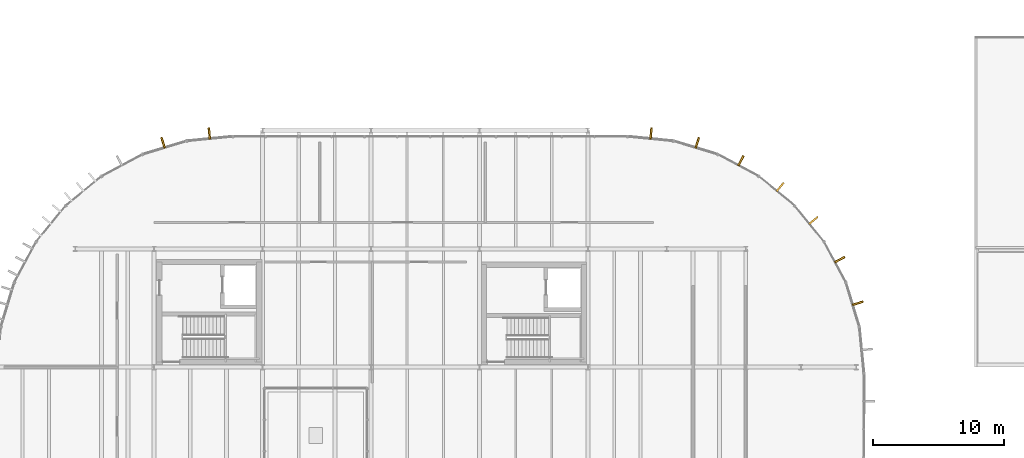
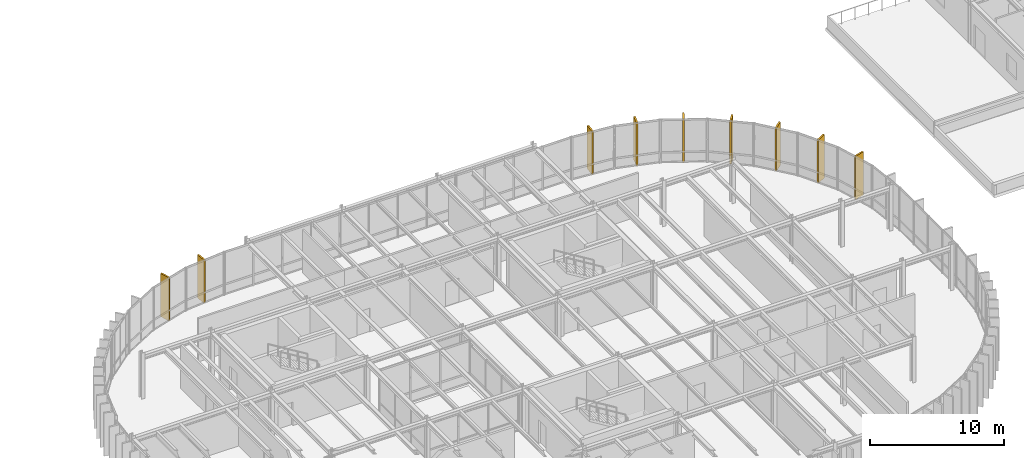
# One storey, part 29 of 31: 9 coverings.
"""IFC4 building model written with IfcOpenShell, lengths in metres."""

from ifc_helpers import new_model, si_unit, direction, frame, origin, origin_2d, place, context, subcontext, project, spatial, rectangle, extrude, material, layer, layer_set, type_object, element, save


model = new_model("IFC4")

# Units and contexts
model_context = context("Model", 3, precision=1e-05, world=origin(), true_north=direction((0.0, 1.0)))
body_context = subcontext(model_context, "Body", "Model", "MODEL_VIEW")
ifc_project = project(units=[si_unit("LENGTHUNIT", "METRE"), si_unit("AREAUNIT", "SQUARE_METRE"), si_unit("VOLUMEUNIT", "CUBIC_METRE"), si_unit("PLANEANGLEUNIT", "RADIAN"), si_unit("MASSUNIT", "GRAM", prefix="KILO")], contexts=[model_context])

# Site, building, storey
site_placement = place(None, origin())
site = spatial("IfcSite", under=ifc_project, at=site_placement, CompositionType="ELEMENT")
building_placement = place(site_placement, origin())
building = spatial("IfcBuilding", under=site, at=building_placement, Name="Montealbar Specialist Clinic", CompositionType="ELEMENT")
storey_placement = place(building_placement, frame((0.0, 0.0, 13.800048828125)))
storey = spatial("IfcBuildingStorey", under=building, at=storey_placement, Name="L03", CompositionType="ELEMENT", Elevation=13.800048828125)

# Coverings
ifc_material = material(Name="Thermally modified timber cladding", Category="wood")
ifc_layer = layer(ifc_material, 0.139892578125, Name="Thermally modified timber cladding", Category="wood")
ifc_layer_set = layer_set([ifc_layer], Name="Thermally modified timber cladding")
covering_type = type_object("IfcCoveringType", Name="COV-FIN-TIMBER-850", PredefinedType="CLADDING", material=ifc_layer_set)
for number, where, z_axis, x_axis, name in (
    (1, (66.68408203125, 44.074951171875, 0.0), (0.0, 0.0, 1.0), (-0.290259134399, 0.956948083701, 0.0), "Vertical Timber Solar Fin CF-L03-0186"),
    (2, (70.205078125, 44.77490234375, 0.0), (0.0, 0.0, 1.0), (-0.098044697094, 0.995182012183, 0.0), "Vertical Timber Solar Fin CF-L03-0187"),
    (3, (103.794921875, 44.77490234375, 0.0), (0.0, 0.0, 1.0), (0.098044697094, 0.995182012183, 0.0), "Vertical Timber Solar Fin CF-L03-0188"),
    (4, (107.31591796875, 44.074951171875, 0.0), (0.0, 0.0, 1.0), (0.290259134399, 0.956948083701, 0.0), "Vertical Timber Solar Fin CF-L03-0189"),
    (5, (110.633056640625, 42.700927734375, 0.0), (0.0, 0.0, 1.0), (0.471529268958, 0.881850411644, 0.0), "Vertical Timber Solar Fin CF-L03-0190"),
    (6, (113.617919921875, 40.7060546875, 0.0), (0.0, 0.0, 1.0), (0.634255808922, 0.773123255923, 0.0), "Vertical Timber Solar Fin CF-L03-0191"),
    (7, (116.156005859375, 38.16796875, 0.0), (0.0, 0.0, 1.0), (0.773123255923, 0.634255808922, 0.0), "Vertical Timber Solar Fin CF-L03-0192"),
    (8, (118.15087890625, 35.18310546875, 0.0), (0.0, 0.0, 1.0), (0.881850411644, 0.471529268958, 0.0), "Vertical Timber Solar Fin CF-L03-0193"),
    (9, (119.52490234375, 31.865966796875, 0.0), (0.0, 0.0, 1.0), (0.956948083701, 0.290259134399, 0.0), "Vertical Timber Solar Fin CF-L03-0194"),
):
    element("IfcCovering", number, at=place(storey_placement, frame(where, z_axis=z_axis, x_axis=x_axis)), inside=storey, type_object=covering_type, Name=name, PredefinedType="CLADDING", context=body_context, shape_type="SweptSolid", body=[
        extrude(rectangle(XDim=0.85009765625, YDim=0.139892578125, at=origin_2d()), origin(), (0.0, 0.0, 1.0), 3.93994140625),
    ])

save(model, "model.ifc")
